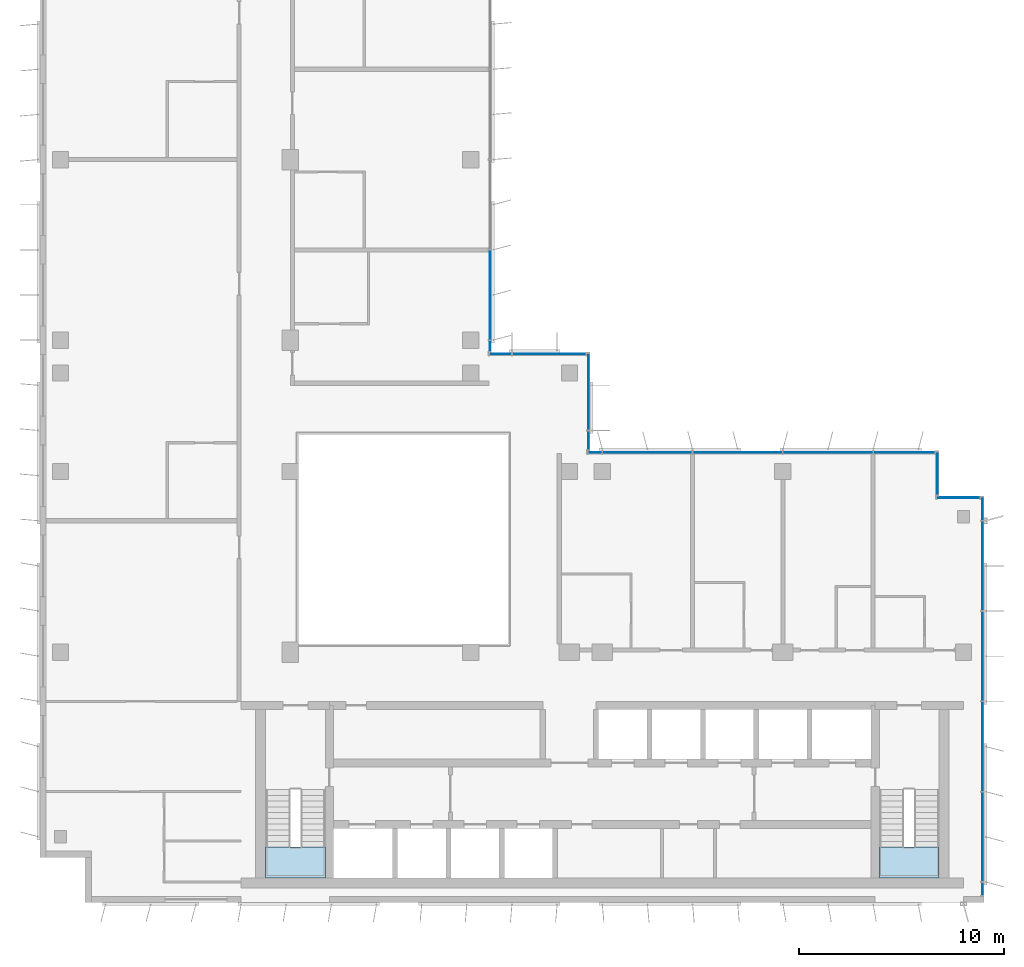
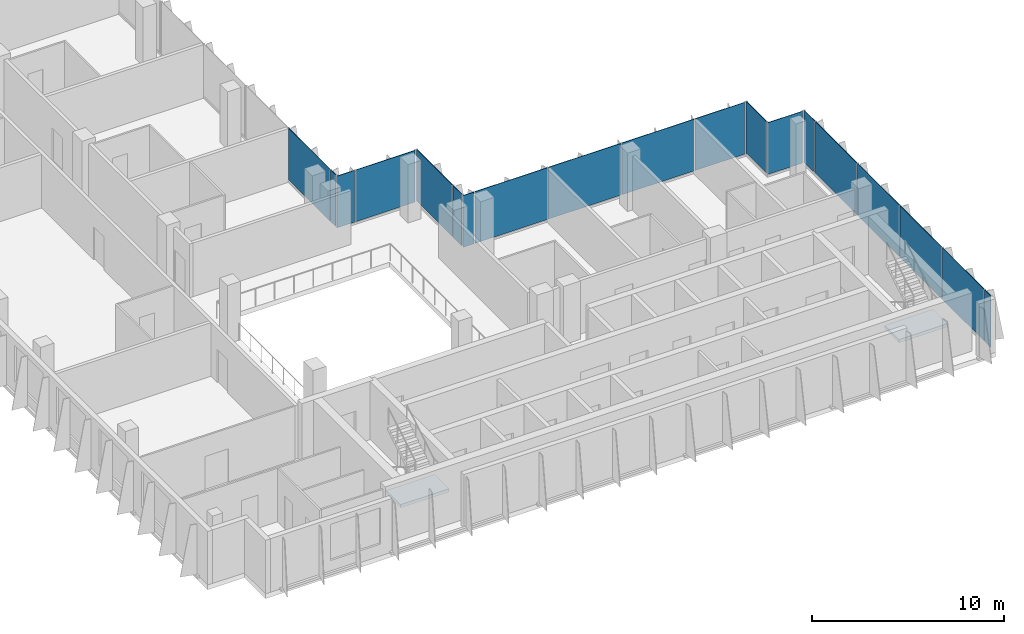
# One storey, part 7 of 15: 19 plates, 2 slabs, 9 elements without a shape of their own.
"""IFC4 building model written with IfcOpenShell, lengths in metres."""

from ifc_helpers import new_model, si_unit, direction, frame, origin, origin_2d, place, context, subcontext, project, spatial, polyline, rectangle, outline, extrude, source, transform, mapped, material, layer, layer_set, type_object, element, aggregate, save


model = new_model("IFC4")

# Units and contexts
model_context = context("Model", 3, precision=1e-05, world=origin(), true_north=direction((0.0, 1.0)))
body_context = subcontext(model_context, "Body", "Model", "MODEL_VIEW")
ifc_project = project(units=[si_unit("LENGTHUNIT", "METRE"), si_unit("AREAUNIT", "SQUARE_METRE"), si_unit("VOLUMEUNIT", "CUBIC_METRE"), si_unit("PLANEANGLEUNIT", "RADIAN"), si_unit("MASSUNIT", "GRAM", prefix="KILO")], contexts=[model_context])

# Site, building, storey
site_placement = place(None, origin())
site = spatial("IfcSite", under=ifc_project, at=site_placement, CompositionType="ELEMENT")
building_placement = place(site_placement, origin())
building = spatial("IfcBuilding", under=site, at=building_placement, Name="Kemantara Hotel Tower", CompositionType="ELEMENT")
storey_placement = place(building_placement, frame((0.0, 0.0, 294.39990234375)))
storey = spatial("IfcBuildingStorey", under=building, at=storey_placement, Name="L74", CompositionType="ELEMENT", Elevation=294.39990234375)

# Stair, slab
ifc_material_1 = material(Name="Concrete fc 40 MPa", Category="concrete")
stair_type = type_object("IfcStairType", Name="Stair 1200 wide 22 risers of 168 x 280 mm", PredefinedType="HALF_TURN_STAIR", material=ifc_material_1)
stair_1_placement = place(storey_placement, origin())
stair_1 = element("IfcStair", 1, at=stair_1_placement, inside=storey, type_object=stair_type, Name="L74 Exit stair ST1", PredefinedType="HALF_TURN_STAIR")
ifc_layer_1 = layer(ifc_material_1, 0.199951171875)
ifc_layer_set_1 = layer_set([ifc_layer_1], Name="Concrete fc 40 MPa")
slab_type = type_object("IfcSlabType", Name="Stair landing 200 mm", PredefinedType="LANDING", material=ifc_layer_set_1)
slab_1_placement = place(storey_placement, frame((0.0, 0.0, 1.650146484375)))
slab_1 = element("IfcSlab", 2, at=slab_1_placement, type_object=slab_type, Name="ST1 landing 1", PredefinedType="LANDING", context=body_context, shape_type="SweptSolid", body=[
    extrude(outline(polyline([(11.0, 2.699951171875), (11.0, 1.199951171875), (13.89990234375, 1.199951171875), (13.89990234375, 2.699951171875), (11.0, 2.699951171875)])), origin(), (0.0, 0.0, 1.0), 0.199951171875),
])
aggregate(stair_1, [slab_1])

stair_2_placement = place(storey_placement, origin())
stair_2 = element("IfcStair", 3, at=stair_2_placement, inside=storey, type_object=stair_type, Name="L74 Exit stair ST2", PredefinedType="HALF_TURN_STAIR")
slab_2_placement = place(storey_placement, frame((0.0, 0.0, 1.650146484375)))
slab_2 = element("IfcSlab", 4, at=slab_2_placement, type_object=slab_type, Name="ST2 landing 1", PredefinedType="LANDING", context=body_context, shape_type="SweptSolid", body=[
    extrude(outline(polyline([(40.89990234375, 2.699951171875), (40.89990234375, 1.199951171875), (43.800048828125, 1.199951171875), (43.800048828125, 2.699951171875), (40.89990234375, 2.699951171875)])), origin(), (0.0, 0.0, 1.0), 0.199951171875),
])
aggregate(stair_2, [slab_2])

# Curtain wall, plates
ifc_material_2 = material(Name="Low-E tinted double insulated glass 36 mm", Category="glass")
curtain_wall_type = type_object("IfcCurtainWallType", Name="TOWER CURTAIN WALL, FRONT FACES", PredefinedType="USERDEFINED", material=ifc_material_2)
curtain_wall_1_placement = place(storey_placement, origin())
curtain_wall_1 = element("IfcCurtainWall", 5, at=curtain_wall_1_placement, inside=storey, type_object=curtain_wall_type, Name="CW4 L74 T4-R09-1", ObjectType="TOWER CURTAIN WALL, FRONT FACES", PredefinedType="USERDEFINED")
ifc_layer_2 = layer(ifc_material_2, 0.035888671875)
ifc_layer_set_2 = layer_set([ifc_layer_2], Name="Low-E tinted double insulated glass 36 mm")
plate_type = type_object("IfcPlateType", Name="TOWER CURTAIN WALL, FRONT FACES PANEL", PredefinedType="CURTAIN_PANEL", material=ifc_layer_set_2)
shared_shape_1 = source(origin(), body_context, "Body", "SweptSolid", [
    extrude(rectangle(XDim=4.340087890625, YDim=0.035888671875, at=origin_2d()), origin(), (0.0, 0.0, 1.0), 3.280029296875),
])
plate_1_placement = place(storey_placement, frame((45.925048828125, 3.199951171875, 0.1201171875), z_axis=(0.0, 0.0, 1.0), x_axis=(0.0, 1.0, 0.0)))
plate_1 = element("IfcPlate", 6, at=plate_1_placement, type_object=plate_type, Name="CW4 glass panel T4-R09-1.2", PredefinedType="CURTAIN_PANEL", context=body_context, shape_type="MappedRepresentation", body=[
    mapped(shared_shape_1, transform((0.0, 0.0, 0.0))),
])
plate_2_placement = place(storey_placement, frame((45.925048828125, 7.60009765625, 0.1201171875), z_axis=(0.0, 0.0, 1.0), x_axis=(0.0, 1.0, 0.0)))
plate_2 = element("IfcPlate", 7, at=plate_2_placement, type_object=plate_type, Name="CW4 glass panel T4-R09-1.3", PredefinedType="CURTAIN_PANEL", context=body_context, shape_type="MappedRepresentation", body=[
    mapped(shared_shape_1, transform((0.0, 0.0, 0.0))),
])
plate_3_placement = place(storey_placement, frame((45.925048828125, 12.0, 0.1201171875), z_axis=(0.0, 0.0, 1.0), x_axis=(0.0, 1.0, 0.0)))
plate_3 = element("IfcPlate", 8, at=plate_3_placement, type_object=plate_type, Name="CW4 glass panel T4-R09-1.4", PredefinedType="CURTAIN_PANEL", context=body_context, shape_type="MappedRepresentation", body=[
    mapped(shared_shape_1, transform((0.0, 0.0, 0.0))),
])
plate_4_placement = place(storey_placement, frame((45.925048828125, 16.39990234375, 0.1201171875), z_axis=(0.0, 0.0, 1.0), x_axis=(0.0, 1.0, 0.0)))
plate_4 = element("IfcPlate", 9, at=plate_4_placement, type_object=plate_type, Name="CW4 glass panel T4-R09-1.5", PredefinedType="CURTAIN_PANEL", context=body_context, shape_type="MappedRepresentation", body=[
    mapped(shared_shape_1, transform((0.0, 0.0, 0.0))),
])

curtain_wall_2_placement = place(storey_placement, origin())
curtain_wall_2 = element("IfcCurtainWall", 10, at=curtain_wall_2_placement, inside=storey, type_object=curtain_wall_type, Name="CW4 L74 T4-R12-1", ObjectType="TOWER CURTAIN WALL, FRONT FACES", PredefinedType="USERDEFINED")
plate_5_placement = place(storey_placement, frame((38.39990234375, 21.925048828125, 0.1201171875), z_axis=(0.0, 0.0, 1.0), x_axis=(-1.0, 0.0, 0.0)))
plate_5 = element("IfcPlate", 11, at=plate_5_placement, type_object=plate_type, Name="CW4 glass panel T4-R12-1.2", PredefinedType="CURTAIN_PANEL", context=body_context, shape_type="MappedRepresentation", body=[
    mapped(shared_shape_1, transform((0.0, 0.0, 0.0))),
])
plate_6_placement = place(storey_placement, frame((34.0, 21.925048828125, 0.1201171875), z_axis=(0.0, 0.0, 1.0), x_axis=(-1.0, 0.0, 0.0)))
plate_6 = element("IfcPlate", 12, at=plate_6_placement, type_object=plate_type, Name="CW4 glass panel T4-R12-1.3", PredefinedType="CURTAIN_PANEL", context=body_context, shape_type="MappedRepresentation", body=[
    mapped(shared_shape_1, transform((0.0, 0.0, 0.0))),
])
plate_7_placement = place(storey_placement, frame((29.60009765625, 21.925048828125, 0.1201171875), z_axis=(0.0, 0.0, 1.0), x_axis=(-1.0, 0.0, 0.0)))
plate_7 = element("IfcPlate", 13, at=plate_7_placement, type_object=plate_type, Name="CW4 glass panel T4-R12-1.4", PredefinedType="CURTAIN_PANEL", context=body_context, shape_type="MappedRepresentation", body=[
    mapped(shared_shape_1, transform((0.0, 0.0, 0.0))),
])

# Curtain wall, plate
curtain_wall_3_placement = place(storey_placement, origin())
curtain_wall_3 = element("IfcCurtainWall", 14, at=curtain_wall_3_placement, inside=storey, type_object=curtain_wall_type, Name="CW4 L74 T4-R15-1", ObjectType="TOWER CURTAIN WALL, FRONT FACES", PredefinedType="USERDEFINED")
plate_8_placement = place(storey_placement, frame((21.925048828125, 29.60009765625, 0.1201171875), z_axis=(0.0, 0.0, 1.0), x_axis=(0.0, 1.0, 0.0)))
plate_8 = element("IfcPlate", 15, at=plate_8_placement, type_object=plate_type, Name="CW4 glass panel T4-R15-1.2", PredefinedType="CURTAIN_PANEL", context=body_context, shape_type="MappedRepresentation", body=[
    mapped(shared_shape_1, transform((0.0, 0.0, 0.0))),
])

curtain_wall_4_placement = place(storey_placement, origin())
curtain_wall_4 = element("IfcCurtainWall", 16, at=curtain_wall_4_placement, inside=storey, type_object=curtain_wall_type, Name="CW4 L74 T4-R10-1", ObjectType="TOWER CURTAIN WALL, FRONT FACES", PredefinedType="USERDEFINED")
shared_shape_2 = source(origin(), body_context, "Body", "SweptSolid", [
    extrude(rectangle(XDim=2.080078125, YDim=0.035888671875, at=origin_2d()), origin(), (0.0, 0.0, 1.0), 3.280029296875),
])
plate_9_placement = place(storey_placement, frame((44.75, 19.72509765625, 0.1201171875), z_axis=(0.0, 0.0, 1.0), x_axis=(-1.0, 0.0, 0.0)))
plate_9 = element("IfcPlate", 17, at=plate_9_placement, type_object=plate_type, Name="CW4 glass panel T4-R10-1.1", PredefinedType="CURTAIN_PANEL", context=body_context, shape_type="MappedRepresentation", body=[
    mapped(shared_shape_2, transform((0.0, 0.0, 0.0))),
])
aggregate(curtain_wall_4, [plate_9])

curtain_wall_5_placement = place(storey_placement, origin())
curtain_wall_5 = element("IfcCurtainWall", 18, at=curtain_wall_5_placement, inside=storey, type_object=curtain_wall_type, Name="CW4 L74 T4-R11-1", ObjectType="TOWER CURTAIN WALL, FRONT FACES", PredefinedType="USERDEFINED")
plate_10_placement = place(storey_placement, frame((43.72509765625, 20.89990234375, 0.1201171875), z_axis=(0.0, 0.0, 1.0), x_axis=(0.0, 1.0, 0.0)))
plate_10 = element("IfcPlate", 19, at=plate_10_placement, type_object=plate_type, Name="CW4 glass panel T4-R11-1.1", PredefinedType="CURTAIN_PANEL", context=body_context, shape_type="MappedRepresentation", body=[
    mapped(shared_shape_2, transform((0.0, 0.0, 0.0))),
])
aggregate(curtain_wall_5, [plate_10])

# Plate
shared_shape_3 = source(origin(), body_context, "Body", "SweptSolid", [
    extrude(rectangle(XDim=2.9599609375, YDim=0.035888671875, at=origin_2d()), origin(), (0.0, 0.0, 1.0), 3.280029296875),
])
plate_11_placement = place(storey_placement, frame((42.110107421875, 21.925048828125, 0.1201171875), z_axis=(0.0, 0.0, 1.0), x_axis=(-1.0, 0.0, 0.0)))
plate_11 = element("IfcPlate", 20, at=plate_11_placement, type_object=plate_type, Name="CW4 glass panel T4-R12-1.1", PredefinedType="CURTAIN_PANEL", context=body_context, shape_type="MappedRepresentation", body=[
    mapped(shared_shape_3, transform((0.0, 0.0, 0.0))),
])

shared_shape_4 = source(origin(), body_context, "Body", "SweptSolid", [
    extrude(rectangle(XDim=0.659912109375, YDim=0.035888671875, at=origin_2d()), origin(), (0.0, 0.0, 1.0), 3.280029296875),
])
plate_12_placement = place(storey_placement, frame((27.0400390625, 21.925048828125, 0.1201171875), z_axis=(0.0, 0.0, 1.0), x_axis=(-1.0, 0.0, 0.0)))
plate_12 = element("IfcPlate", 21, at=plate_12_placement, type_object=plate_type, Name="CW4 glass panel T4-R12-1.5", PredefinedType="CURTAIN_PANEL", context=body_context, shape_type="MappedRepresentation", body=[
    mapped(shared_shape_4, transform((0.0, 0.0, 0.0))),
])

aggregate(curtain_wall_2, [plate_11, plate_5, plate_6, plate_7, plate_12])

shared_shape_5 = source(origin(), body_context, "Body", "SweptSolid", [
    extrude(rectangle(XDim=0.510009765625, YDim=0.035888671875, at=origin_2d()), origin(), (0.0, 0.0, 1.0), 3.280029296875),
])
plate_13_placement = place(storey_placement, frame((21.925048828125, 27.114990234375, 0.1201171875), z_axis=(0.0, 0.0, 1.0), x_axis=(0.0, 1.0, 0.0)))
plate_13 = element("IfcPlate", 22, at=plate_13_placement, type_object=plate_type, Name="CW4 glass panel T4-R15-1.1", PredefinedType="CURTAIN_PANEL", context=body_context, shape_type="MappedRepresentation", body=[
    mapped(shared_shape_5, transform((0.0, 0.0, 0.0))),
])

aggregate(curtain_wall_3, [plate_13, plate_8])

# Curtain wall, plate
curtain_wall_6_placement = place(storey_placement, origin())
curtain_wall_6 = element("IfcCurtainWall", 23, at=curtain_wall_6_placement, inside=storey, type_object=curtain_wall_type, Name="CW4 L74 T4-R13-1", ObjectType="TOWER CURTAIN WALL, FRONT FACES", PredefinedType="USERDEFINED")
shared_shape_6 = source(origin(), body_context, "Body", "SweptSolid", [
    extrude(rectangle(XDim=0.909912109375, YDim=0.035888671875, at=origin_2d()), origin(), (0.0, 0.0, 1.0), 3.280029296875),
])
plate_14_placement = place(storey_placement, frame((26.72509765625, 22.514892578125, 0.1201171875), z_axis=(0.0, 0.0, 1.0), x_axis=(0.0, 1.0, 0.0)))
plate_14 = element("IfcPlate", 24, at=plate_14_placement, type_object=plate_type, Name="CW4 glass panel T4-R13-1.1", PredefinedType="CURTAIN_PANEL", context=body_context, shape_type="MappedRepresentation", body=[
    mapped(shared_shape_6, transform((0.0, 0.0, 0.0))),
])

# Plate
shared_shape_7 = source(origin(), body_context, "Body", "SweptSolid", [
    extrude(rectangle(XDim=1.110107421875, YDim=0.035888671875, at=origin_2d()), origin(), (0.0, 0.0, 1.0), 3.280029296875),
])
plate_15_placement = place(storey_placement, frame((45.925048828125, 19.18505859375, 0.1201171875), z_axis=(0.0, 0.0, 1.0), x_axis=(0.0, 1.0, 0.0)))
plate_15 = element("IfcPlate", 25, at=plate_15_placement, type_object=plate_type, Name="CW4 glass panel T4-R09-1.6", PredefinedType="CURTAIN_PANEL", context=body_context, shape_type="MappedRepresentation", body=[
    mapped(shared_shape_7, transform((0.0, 0.0, 0.0))),
])

shared_shape_8 = source(origin(), body_context, "Body", "SweptSolid", [
    extrude(rectangle(XDim=3.7099609375, YDim=0.035888671875, at=origin_2d()), origin(), (0.0, 0.0, 1.0), 3.280029296875),
])
plate_16_placement = place(storey_placement, frame((26.72509765625, 24.885009765625, 0.1201171875), z_axis=(0.0, 0.0, 1.0), x_axis=(0.0, 1.0, 0.0)))
plate_16 = element("IfcPlate", 26, at=plate_16_placement, type_object=plate_type, Name="CW4 glass panel T4-R13-1.2", PredefinedType="CURTAIN_PANEL", context=body_context, shape_type="MappedRepresentation", body=[
    mapped(shared_shape_8, transform((0.0, 0.0, 0.0))),
])

aggregate(curtain_wall_6, [plate_14, plate_16])

# Curtain wall, plates
curtain_wall_7_placement = place(storey_placement, origin())
curtain_wall_7 = element("IfcCurtainWall", 27, at=curtain_wall_7_placement, inside=storey, type_object=curtain_wall_type, Name="CW4 L74 T4-R14-1", ObjectType="TOWER CURTAIN WALL, FRONT FACES", PredefinedType="USERDEFINED")
shared_shape_9 = source(origin(), body_context, "Body", "SweptSolid", [
    extrude(rectangle(XDim=3.56005859375, YDim=0.035888671875, at=origin_2d()), origin(), (0.0, 0.0, 1.0), 3.280029296875),
])
plate_17_placement = place(storey_placement, frame((24.81005859375, 26.72509765625, 0.1201171875), z_axis=(0.0, 0.0, 1.0), x_axis=(-1.0, 0.0, 0.0)))
plate_17 = element("IfcPlate", 28, at=plate_17_placement, type_object=plate_type, Name="CW4 glass panel T4-R14-1.1", PredefinedType="CURTAIN_PANEL", context=body_context, shape_type="MappedRepresentation", body=[
    mapped(shared_shape_9, transform((0.0, 0.0, 0.0))),
])
shared_shape_10 = source(origin(), body_context, "Body", "SweptSolid", [
    extrude(rectangle(XDim=1.06005859375, YDim=0.035888671875, at=origin_2d()), origin(), (0.0, 0.0, 1.0), 3.280029296875),
])
plate_18_placement = place(storey_placement, frame((22.43994140625, 26.72509765625, 0.1201171875), z_axis=(0.0, 0.0, 1.0), x_axis=(-1.0, 0.0, 0.0)))
plate_18 = element("IfcPlate", 29, at=plate_18_placement, type_object=plate_type, Name="CW4 glass panel T4-R14-1.2", PredefinedType="CURTAIN_PANEL", context=body_context, shape_type="MappedRepresentation", body=[
    mapped(shared_shape_10, transform((0.0, 0.0, 0.0))),
])
aggregate(curtain_wall_7, [plate_17, plate_18])

# Plate
shared_shape_11 = source(origin(), body_context, "Body", "SweptSolid", [
    extrude(rectangle(XDim=0.610107421875, YDim=0.035888671875, at=origin_2d()), origin(), (0.0, 0.0, 1.0), 3.280029296875),
])
plate_19_placement = place(storey_placement, frame((45.925048828125, 0.6650390625, 0.1201171875), z_axis=(0.0, 0.0, 1.0), x_axis=(0.0, 1.0, 0.0)))
plate_19 = element("IfcPlate", 30, at=plate_19_placement, type_object=plate_type, Name="CW4 glass panel T4-R09-1.1", PredefinedType="CURTAIN_PANEL", context=body_context, shape_type="MappedRepresentation", body=[
    mapped(shared_shape_11, transform((0.0, 0.0, 0.0))),
])

aggregate(curtain_wall_1, [plate_19, plate_1, plate_2, plate_3, plate_4, plate_15])

save(model, "model.ifc")
